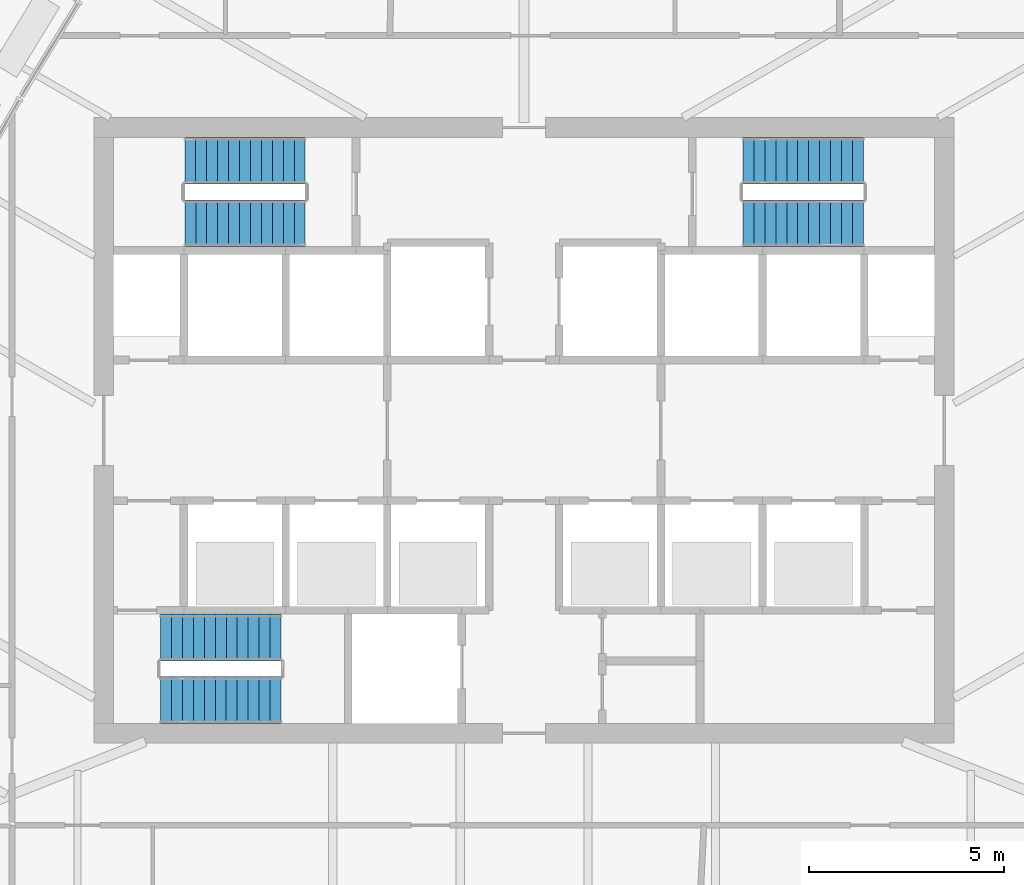
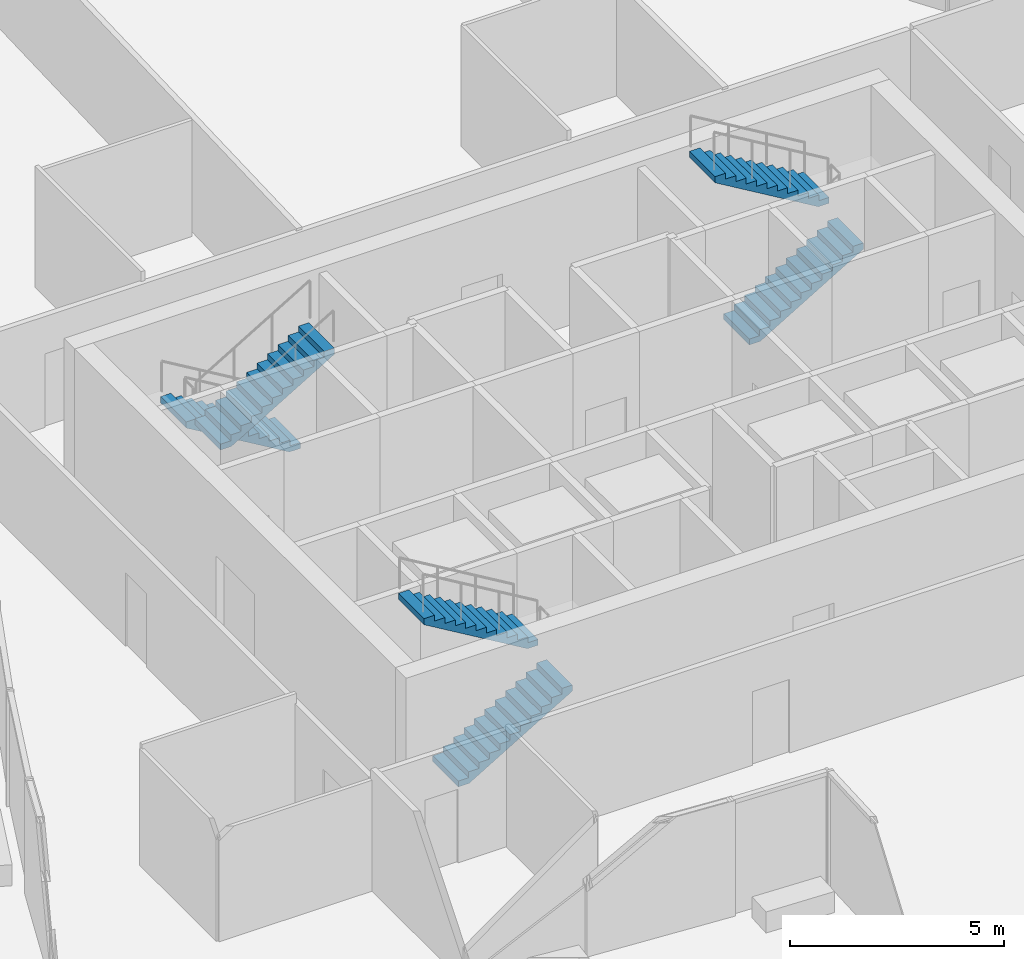
# One storey, part 12 of 18: 6 stair flights, 3 elements without a shape of their own.
"""IFC4 building model written with IfcOpenShell, lengths in metres."""

from ifc_helpers import new_model, si_unit, direction, frame, origin, place, context, subcontext, project, spatial, polyline, outline, extrude, material, type_object, element, aggregate, save


model = new_model("IFC4")

# Units and contexts
model_context = context("Model", 3, precision=1e-05, world=origin(), true_north=direction((0.0, 1.0)))
body_context = subcontext(model_context, "Body", "Model", "MODEL_VIEW")
ifc_project = project(units=[si_unit("LENGTHUNIT", "METRE"), si_unit("AREAUNIT", "SQUARE_METRE"), si_unit("VOLUMEUNIT", "CUBIC_METRE"), si_unit("PLANEANGLEUNIT", "RADIAN"), si_unit("MASSUNIT", "GRAM", prefix="KILO")], contexts=[model_context])

# Site, building, storey
site_placement = place(None, origin())
site = spatial("IfcSite", under=ifc_project, at=site_placement, CompositionType="ELEMENT")
building_placement = place(site_placement, origin())
building = spatial("IfcBuilding", under=site, at=building_placement, Name="Sierra Prisma Convention Tower", CompositionType="ELEMENT")
storey_placement = place(building_placement, frame((0.0, 0.0, 205.800048828125)))
storey = spatial("IfcBuildingStorey", under=building, at=storey_placement, Name="L46", CompositionType="ELEMENT", Elevation=205.800048828125)

# Stair, stair flights
ifc_material_1 = material(Name="Concrete C30/37", Category="concrete")
stair_type = type_object("IfcStairType", Name="Stair dog-leg 1200 RC", PredefinedType="HALF_TURN_STAIR", material=ifc_material_1)
stair_1_placement = place(storey_placement, origin())
stair_1 = element("IfcStair", 1, at=stair_1_placement, inside=storey, type_object=stair_type, Name="L46 S1", PredefinedType="HALF_TURN_STAIR")
ifc_material_2 = material(Name="Concrete C30/37", Category="concrete")
stair_flight_type = type_object("IfcStairFlightType", Name="Stair flight RC 1200", PredefinedType="STRAIGHT", material=ifc_material_2)
stair_flight_1_placement = place(storey_placement, frame((-9.300048828125, -6.89990234375, 0.0), z_axis=(0.0, 0.0, 1.0), x_axis=(1.0, 0.0, 0.0)))
stair_flight_1 = element("IfcStairFlight", 2, at=stair_flight_1_placement, type_object=stair_flight_type, Name="S1 flight 1", NumberOfRisers=12, NumberOfTreads=11, PredefinedType="STRAIGHT", RiserHeight=0.166666667, TreadLength=0.28, context=body_context, shape_type="SweptSolid", body=[
    extrude(outline(polyline([(0.0, 0.0), (0.0, 0.166748046875), (0.280029296875, 0.166748046875), (0.280029296875, 0.333251953125), (0.56005859375, 0.333251953125), (0.56005859375, 0.5), (0.840087890625, 0.5), (0.840087890625, 0.666748046875), (1.1201171875, 0.666748046875), (1.1201171875, 0.833251953125), (1.39990234375, 0.833251953125), (1.39990234375, 1.0), (1.679931640625, 1.0), (1.679931640625, 1.166748046875), (1.9599609375, 1.166748046875), (1.9599609375, 1.333251953125), (2.239990234375, 1.333251953125), (2.239990234375, 1.5), (2.52001953125, 1.5), (2.52001953125, 1.666748046875), (2.800048828125, 1.666748046875), (2.800048828125, 1.833251953125), (3.080078125, 1.833251953125), (3.080078125, 2.0), (3.080078125, 1.658935546875), (0.29296875, 0.0), (0.0, 0.0)])), frame((0.0, 0.60009765625, 0.0), z_axis=(0.0, -1.0, 0.0), x_axis=(1.0, 0.0, 0.0)), (0.0, 0.0, 1.0), 1.199951171875),
])
stair_flight_2_placement = place(storey_placement, frame((-6.219970703125, -5.300048828125, 2.0), z_axis=(0.0, 0.0, 1.0), x_axis=(-1.0, 0.0, 0.0)))
stair_flight_2 = element("IfcStairFlight", 3, at=stair_flight_2_placement, type_object=stair_flight_type, Name="S1 flight 2", NumberOfRisers=12, NumberOfTreads=11, PredefinedType="STRAIGHT", RiserHeight=0.166666667, TreadLength=0.28, context=body_context, shape_type="SweptSolid", body=[
    extrude(outline(polyline([(0.0, 0.0), (0.0, 0.166748046875), (0.280029296875, 0.166748046875), (0.280029296875, 0.333251953125), (0.56005859375, 0.333251953125), (0.56005859375, 0.5), (0.840087890625, 0.5), (0.840087890625, 0.666748046875), (1.1201171875, 0.666748046875), (1.1201171875, 0.833251953125), (1.39990234375, 0.833251953125), (1.39990234375, 1.0), (1.679931640625, 1.0), (1.679931640625, 1.166748046875), (1.9599609375, 1.166748046875), (1.9599609375, 1.333251953125), (2.239990234375, 1.333251953125), (2.239990234375, 1.5), (2.52001953125, 1.5), (2.52001953125, 1.666748046875), (2.800048828125, 1.666748046875), (2.800048828125, 1.833251953125), (3.080078125, 1.833251953125), (3.080078125, 2.0), (3.080078125, 1.658935546875), (0.29296875, 0.0), (0.0, 0.0)])), frame((0.0, 0.60009765625, 0.0), z_axis=(0.0, -1.0, 0.0), x_axis=(1.0, 0.0, 0.0)), (0.0, 0.0, 1.0), 1.199951171875),
])
aggregate(stair_1, [stair_flight_1, stair_flight_2])

stair_2_placement = place(storey_placement, origin())
stair_2 = element("IfcStair", 4, at=stair_2_placement, inside=storey, type_object=stair_type, Name="L46 S3", PredefinedType="HALF_TURN_STAIR")
stair_flight_3_placement = place(storey_placement, frame((-5.60009765625, 6.89990234375, 0.0), z_axis=(0.0, 0.0, 1.0), x_axis=(-1.0, 0.0, 0.0)))
stair_flight_3 = element("IfcStairFlight", 5, at=stair_flight_3_placement, type_object=stair_flight_type, Name="S3 flight 1", NumberOfRisers=12, NumberOfTreads=11, PredefinedType="STRAIGHT", RiserHeight=0.166666667, TreadLength=0.28, context=body_context, shape_type="SweptSolid", body=[
    extrude(outline(polyline([(0.0, 0.0), (0.0, 0.166748046875), (0.280029296875, 0.166748046875), (0.280029296875, 0.333251953125), (0.56005859375, 0.333251953125), (0.56005859375, 0.5), (0.840087890625, 0.5), (0.840087890625, 0.666748046875), (1.1201171875, 0.666748046875), (1.1201171875, 0.833251953125), (1.39990234375, 0.833251953125), (1.39990234375, 1.0), (1.679931640625, 1.0), (1.679931640625, 1.166748046875), (1.9599609375, 1.166748046875), (1.9599609375, 1.333251953125), (2.239990234375, 1.333251953125), (2.239990234375, 1.5), (2.52001953125, 1.5), (2.52001953125, 1.666748046875), (2.800048828125, 1.666748046875), (2.800048828125, 1.833251953125), (3.080078125, 1.833251953125), (3.080078125, 2.0), (3.080078125, 1.658935546875), (0.29296875, 0.0), (0.0, 0.0)])), frame((0.0, 0.60009765625, 0.0), z_axis=(0.0, -1.0, 0.0), x_axis=(1.0, 0.0, 0.0)), (0.0, 0.0, 1.0), 1.199951171875),
])
stair_flight_4_placement = place(storey_placement, frame((-8.679931640625, 5.300048828125, 2.0), z_axis=(0.0, 0.0, 1.0), x_axis=(1.0, 0.0, 0.0)))
stair_flight_4 = element("IfcStairFlight", 6, at=stair_flight_4_placement, type_object=stair_flight_type, Name="S3 flight 2", NumberOfRisers=12, NumberOfTreads=11, PredefinedType="STRAIGHT", RiserHeight=0.166666667, TreadLength=0.28, context=body_context, shape_type="SweptSolid", body=[
    extrude(outline(polyline([(0.0, 0.0), (0.0, 0.166748046875), (0.280029296875, 0.166748046875), (0.280029296875, 0.333251953125), (0.56005859375, 0.333251953125), (0.56005859375, 0.5), (0.840087890625, 0.5), (0.840087890625, 0.666748046875), (1.1201171875, 0.666748046875), (1.1201171875, 0.833251953125), (1.39990234375, 0.833251953125), (1.39990234375, 1.0), (1.679931640625, 1.0), (1.679931640625, 1.166748046875), (1.9599609375, 1.166748046875), (1.9599609375, 1.333251953125), (2.239990234375, 1.333251953125), (2.239990234375, 1.5), (2.52001953125, 1.5), (2.52001953125, 1.666748046875), (2.800048828125, 1.666748046875), (2.800048828125, 1.833251953125), (3.080078125, 1.833251953125), (3.080078125, 2.0), (3.080078125, 1.658935546875), (0.29296875, 0.0), (0.0, 0.0)])), frame((0.0, 0.60009765625, 0.0), z_axis=(0.0, -1.0, 0.0), x_axis=(1.0, 0.0, 0.0)), (0.0, 0.0, 1.0), 1.199951171875),
])
aggregate(stair_2, [stair_flight_3, stair_flight_4])

stair_3_placement = place(storey_placement, origin())
stair_3 = element("IfcStair", 7, at=stair_3_placement, inside=storey, type_object=stair_type, Name="L46 S4", PredefinedType="HALF_TURN_STAIR")
stair_flight_5_placement = place(storey_placement, frame((5.60009765625, 5.300048828125, 0.0), z_axis=(0.0, 0.0, 1.0), x_axis=(1.0, 0.0, 0.0)))
stair_flight_5 = element("IfcStairFlight", 8, at=stair_flight_5_placement, type_object=stair_flight_type, Name="S4 flight 1", NumberOfRisers=12, NumberOfTreads=11, PredefinedType="STRAIGHT", RiserHeight=0.166666667, TreadLength=0.28, context=body_context, shape_type="SweptSolid", body=[
    extrude(outline(polyline([(0.0, 0.0), (0.0, 0.166748046875), (0.280029296875, 0.166748046875), (0.280029296875, 0.333251953125), (0.56005859375, 0.333251953125), (0.56005859375, 0.5), (0.840087890625, 0.5), (0.840087890625, 0.666748046875), (1.1201171875, 0.666748046875), (1.1201171875, 0.833251953125), (1.39990234375, 0.833251953125), (1.39990234375, 1.0), (1.679931640625, 1.0), (1.679931640625, 1.166748046875), (1.9599609375, 1.166748046875), (1.9599609375, 1.333251953125), (2.239990234375, 1.333251953125), (2.239990234375, 1.5), (2.52001953125, 1.5), (2.52001953125, 1.666748046875), (2.800048828125, 1.666748046875), (2.800048828125, 1.833251953125), (3.080078125, 1.833251953125), (3.080078125, 2.0), (3.080078125, 1.658935546875), (0.29296875, 0.0), (0.0, 0.0)])), frame((0.0, 0.60009765625, 0.0), z_axis=(0.0, -1.0, 0.0), x_axis=(1.0, 0.0, 0.0)), (0.0, 0.0, 1.0), 1.199951171875),
])
stair_flight_6_placement = place(storey_placement, frame((8.679931640625, 6.89990234375, 2.0), z_axis=(0.0, 0.0, 1.0), x_axis=(-1.0, 0.0, 0.0)))
stair_flight_6 = element("IfcStairFlight", 9, at=stair_flight_6_placement, type_object=stair_flight_type, Name="S4 flight 2", NumberOfRisers=12, NumberOfTreads=11, PredefinedType="STRAIGHT", RiserHeight=0.166666667, TreadLength=0.28, context=body_context, shape_type="SweptSolid", body=[
    extrude(outline(polyline([(0.0, 0.0), (0.0, 0.166748046875), (0.280029296875, 0.166748046875), (0.280029296875, 0.333251953125), (0.56005859375, 0.333251953125), (0.56005859375, 0.5), (0.840087890625, 0.5), (0.840087890625, 0.666748046875), (1.1201171875, 0.666748046875), (1.1201171875, 0.833251953125), (1.39990234375, 0.833251953125), (1.39990234375, 1.0), (1.679931640625, 1.0), (1.679931640625, 1.166748046875), (1.9599609375, 1.166748046875), (1.9599609375, 1.333251953125), (2.239990234375, 1.333251953125), (2.239990234375, 1.5), (2.52001953125, 1.5), (2.52001953125, 1.666748046875), (2.800048828125, 1.666748046875), (2.800048828125, 1.833251953125), (3.080078125, 1.833251953125), (3.080078125, 2.0), (3.080078125, 1.658935546875), (0.29296875, 0.0), (0.0, 0.0)])), frame((0.0, 0.60009765625, 0.0), z_axis=(0.0, -1.0, 0.0), x_axis=(1.0, 0.0, 0.0)), (0.0, 0.0, 1.0), 1.199951171875),
])
aggregate(stair_3, [stair_flight_5, stair_flight_6])

save(model, "model.ifc")
